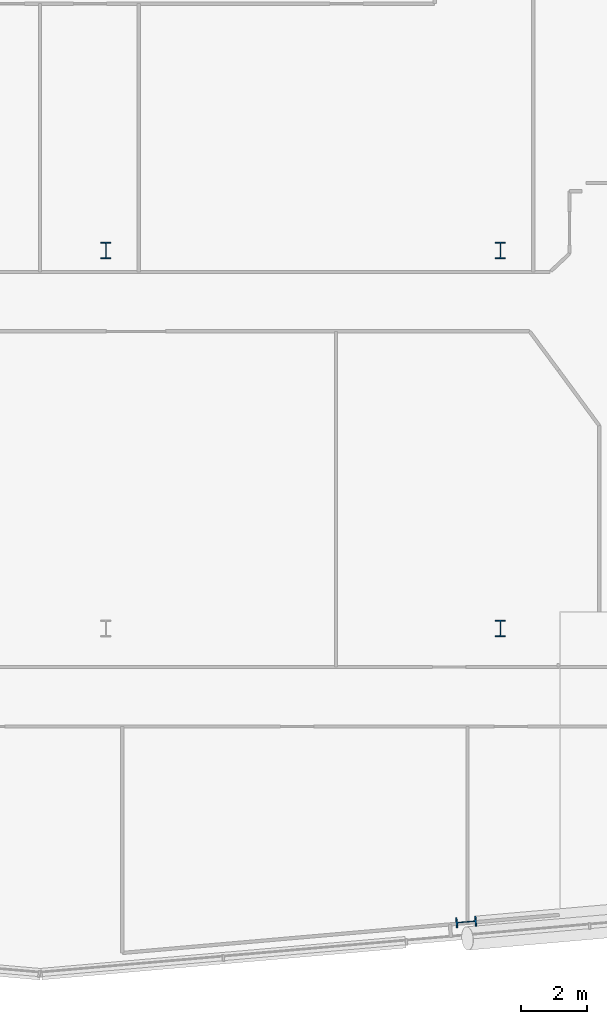
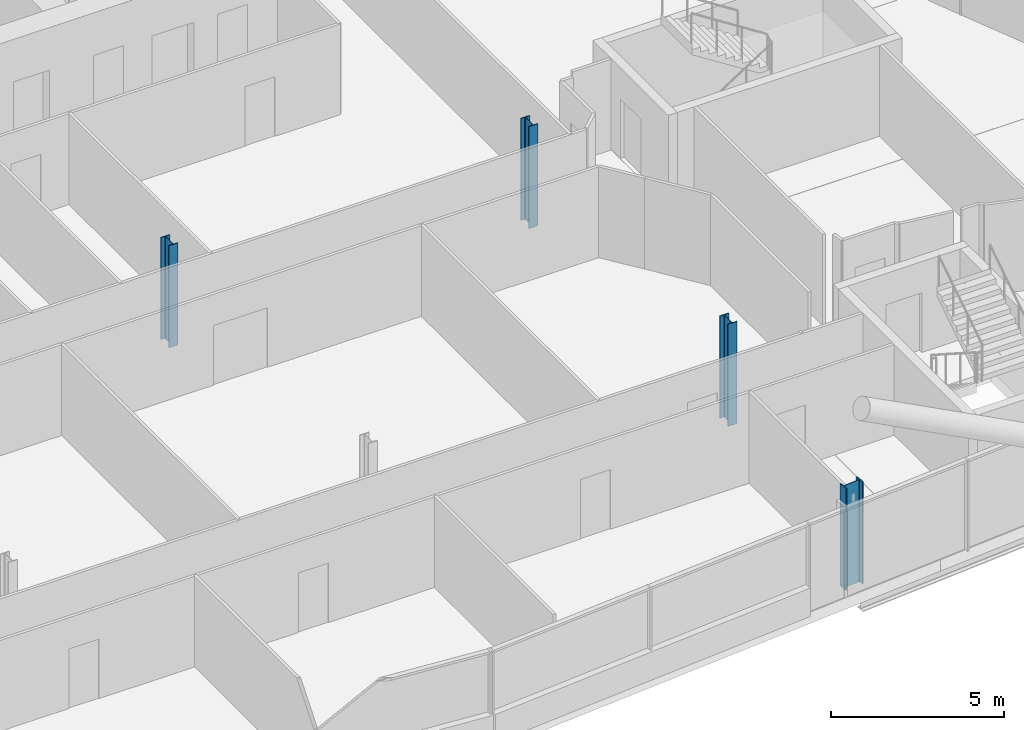
# One storey, part 2 of 27: 4 columns.
"""IFC4 building model written with IfcOpenShell, lengths in metres."""

from ifc_helpers import new_model, si_unit, direction, frame, origin, origin_2d, place, context, subcontext, project, spatial, i_section, extrude, material, material_profile, profile_set, type_object, element, save


model = new_model("IFC4")

# Units and contexts
model_context = context("Model", 3, precision=1e-05, world=origin(), true_north=direction((0.0, 1.0)))
body_context = subcontext(model_context, "Body", "Model", "MODEL_VIEW")
ifc_project = project(units=[si_unit("LENGTHUNIT", "METRE"), si_unit("AREAUNIT", "SQUARE_METRE"), si_unit("VOLUMEUNIT", "CUBIC_METRE"), si_unit("PLANEANGLEUNIT", "RADIAN"), si_unit("MASSUNIT", "GRAM", prefix="KILO")], contexts=[model_context])

# Site, building, storey
site_placement = place(None, origin())
site = spatial("IfcSite", under=ifc_project, at=site_placement, CompositionType="ELEMENT")
building_placement = place(site_placement, origin())
building = spatial("IfcBuilding", under=site, at=building_placement, Name="Wharfspan Tower", CompositionType="ELEMENT")
storey_placement = place(building_placement, frame((0.0, 0.0, 195.100098)))
storey = spatial("IfcBuildingStorey", under=building, at=storey_placement, Name="L48", CompositionType="ELEMENT", Elevation=195.100098)

# Columns
ifc_material = material(Name="Steel S355J2", Category="steel")
ifc_material_profile_1 = material_profile(ifc_material, i_section(OverallWidth=0.300049, OverallDepth=0.5, WebThickness=0.014404, FlangeThickness=0.028076, FilletRadius=0.0271, at=origin_2d()))
ifc_profile_set_1 = profile_set([ifc_material_profile_1], Name="Steel S355J2")
column_type_1 = type_object("IfcColumnType", Name="Column HEB 500", PredefinedType="COLUMN", material=ifc_profile_set_1)
for number, where, z_axis, x_axis, name in (
    (1, (60.0, 11.5, 0.0), (0.0, 0.0, 1.0), (1.0, 0.0, 0.0), "Interior column I.1.4 L48"),
    (2, (48.0, 23.0, 0.0), (0.0, 0.0, 1.0), (1.0, 0.0, 0.0), "Interior column I.2.3 L48"),
    (3, (60.0, 23.0, 0.0), (0.0, 0.0, 1.0), (1.0, 0.0, 0.0), "Interior column I.2.4 L48"),
):
    element("IfcColumn", number, at=place(storey_placement, frame(where, z_axis=z_axis, x_axis=x_axis)), inside=storey, type_object=column_type_1, Name=name, PredefinedType="COLUMN", context=body_context, shape_type="SweptSolid", body=[
        extrude(i_section(OverallWidth=0.300049, OverallDepth=0.5, WebThickness=0.014404, FlangeThickness=0.028076, FilletRadius=0.0271, at=origin_2d()), origin(), (0.0, 0.0, 1.0), 3.599854),
    ])
ifc_material_profile_2 = material_profile(ifc_material, i_section(OverallWidth=0.304932, OverallDepth=0.620117, WebThickness=0.020996, FlangeThickness=0.040039, FilletRadius=0.0271, at=origin_2d()))
ifc_profile_set_2 = profile_set([ifc_material_profile_2], Name="Steel S355J2")
column_type_2 = type_object("IfcColumnType", Name="Column HEM 600", PredefinedType="COLUMN", material=ifc_profile_set_2)
column_placement = place(storey_placement, frame((58.960693, 2.573486, 0.0), z_axis=(0.0, 0.0, 1.0), x_axis=(0.087156, -0.996198, 0.0)))
element("IfcColumn", 4, at=column_placement, inside=storey, type_object=column_type_2, Name="Perimeter column PS2.1 L48", PredefinedType="COLUMN", context=body_context, shape_type="SweptSolid", body=[
    extrude(i_section(OverallWidth=0.304932, OverallDepth=0.620117, WebThickness=0.020996, FlangeThickness=0.040039, FilletRadius=0.0271, at=origin_2d()), origin(), (0.0, 0.0, 1.0), 3.599854),
])

save(model, "model.ifc")
